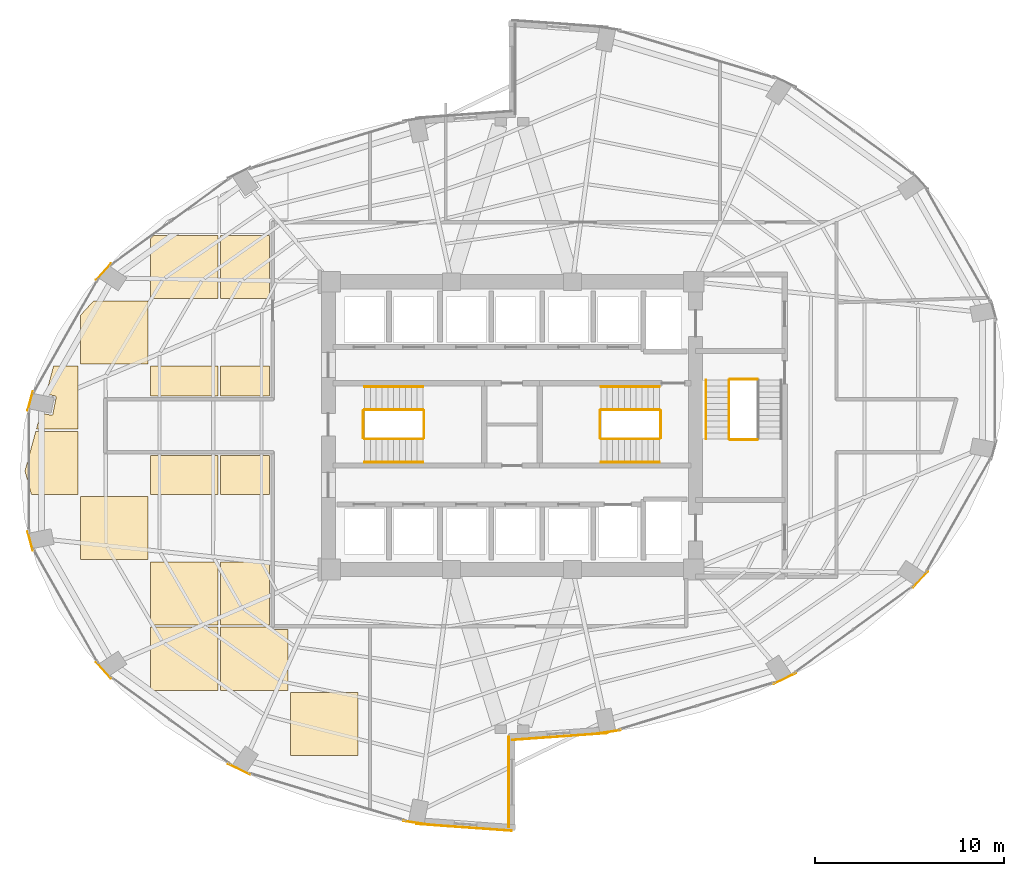
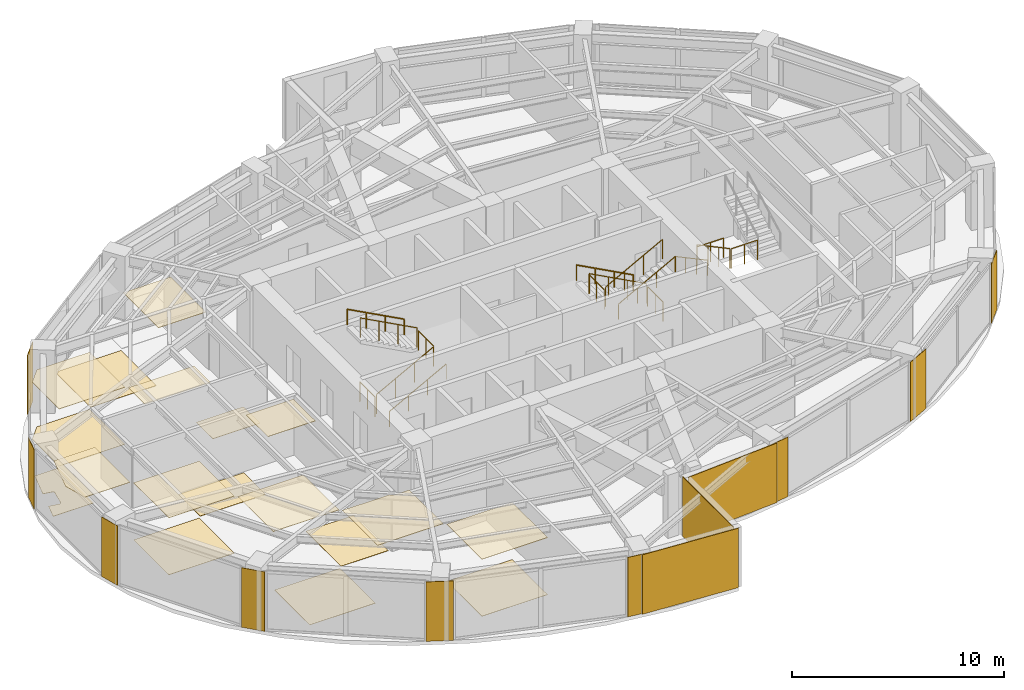
# One storey, part 22 of 23: 30 coverings, 16 railings.
"""IFC4 building model written with IfcOpenShell, lengths in metres."""

from ifc_helpers import new_model, si_unit, direction, frame, origin, origin_2d, place, context, subcontext, project, spatial, polyline, rectangle, circle, outline, extrude, material, layer, layer_set, type_object, element, save


model = new_model("IFC4")

# Units and contexts
model_context = context("Model", 3, precision=1e-05, world=origin(), true_north=direction((0.0, 1.0)))
body_context = subcontext(model_context, "Body", "Model", "MODEL_VIEW")
ifc_project = project(units=[si_unit("LENGTHUNIT", "METRE"), si_unit("AREAUNIT", "SQUARE_METRE"), si_unit("VOLUMEUNIT", "CUBIC_METRE"), si_unit("PLANEANGLEUNIT", "RADIAN"), si_unit("MASSUNIT", "GRAM", prefix="KILO")], contexts=[model_context])

# Site, building, storey
site_placement = place(None, origin())
site = spatial("IfcSite", under=ifc_project, at=site_placement, CompositionType="ELEMENT")
building_placement = place(site_placement, origin())
building = spatial("IfcBuilding", under=site, at=building_placement, Name="Lazwardi Medical Tower", CompositionType="ELEMENT")
storey_placement = place(building_placement, frame((0.0, 0.0, 125.52001953125)))
storey = spatial("IfcBuildingStorey", under=building, at=storey_placement, Name="L32", CompositionType="ELEMENT", Elevation=125.52001953125)

# Coverings
ifc_material_1 = material(Name="Anodised bronze aluminium cassette cladding", Category="aluminium")
ifc_layer_1 = layer(ifc_material_1, 0.030029296875)
ifc_layer_set_1 = layer_set([ifc_layer_1], Name="Anodised bronze aluminium cassette cladding")
covering_type_1 = type_object("IfcCoveringType", Name="COV-CLD-BRZ", PredefinedType="CLADDING", material=ifc_layer_set_1)
covering_1_placement = place(storey_placement, frame((41.064208984375, 11.80322265625, 0.0), z_axis=(0.0, 0.0, 1.0), x_axis=(0.989609019093, 0.143784523955, 0.0)))
element("IfcCovering", 1, at=covering_1_placement, inside=storey, type_object=covering_type_1, Name="L32 Mega-column bronze cassette cover M01", PredefinedType="CLADDING", context=body_context, shape_type="SweptSolid", body=[
    extrude(rectangle(XDim=1.392333984375, YDim=0.030029296875, at=origin_2d()), origin(), (0.0, 0.0, 1.0), 3.427978515625),
])
covering_2_placement = place(storey_placement, frame((50.421875, 14.634521484375, 0.0), z_axis=(0.0, 0.0, 1.0), x_axis=(0.898679250201, 0.438606435495, 0.0)))
element("IfcCovering", 2, at=covering_2_placement, inside=storey, type_object=covering_type_1, Name="L32 Mega-column bronze cassette cover M02", PredefinedType="CLADDING", context=body_context, shape_type="SweptSolid", body=[
    extrude(rectangle(XDim=1.2998046875, YDim=0.030029296875, at=origin_2d()), origin(), (0.0, 0.0, 1.0), 3.427978515625),
])
for number, where, z_axis, x_axis, name in (
    (3, (57.583740234375, 19.86572265625, 0.0), (0.0, 0.0, 1.0), (0.674925949214, 0.737885467453, 0.0), "L32 Mega-column bronze cassette cover M03"),
    (4, (14.416259765625, 36.13427734375, 0.0), (0.0, 0.0, 1.0), (-0.674925949214, -0.737885467453, 0.0), "L32 Mega-column bronze cassette cover M11"),
):
    element("IfcCovering", number, at=place(storey_placement, frame(where, z_axis=z_axis, x_axis=x_axis)), inside=storey, type_object=covering_type_1, Name=name, PredefinedType="CLADDING", context=body_context, shape_type="SweptSolid", body=[
        extrude(rectangle(XDim=1.15625, YDim=0.030029296875, at=origin_2d()), origin(), (0.0, 0.0, 1.0), 3.427978515625),
    ])
for number, where, z_axis, x_axis, name in (
    (5, (10.540283203125, 29.299072265625, 0.0), (0.0, 0.0, 1.0), (-0.262696108164, -0.964878621774, 0.0), "L32 Mega-column bronze cassette cover M12"),
    (6, (10.540283203125, 21.90087890625, 0.0), (0.0, 0.0, 1.0), (0.262696108164, -0.964878621774, 0.0), "L32 Mega-column bronze cassette cover M13"),
):
    element("IfcCovering", number, at=place(storey_placement, frame(where, z_axis=z_axis, x_axis=x_axis)), inside=storey, type_object=covering_type_1, Name=name, PredefinedType="CLADDING", context=body_context, shape_type="SweptSolid", body=[
        extrude(rectangle(XDim=1.04296875, YDim=0.030029296875, at=origin_2d()), origin(), (0.0, 0.0, 1.0), 3.427978515625),
    ])
covering_3_placement = place(storey_placement, frame((14.416259765625, 15.06591796875, 0.0), z_axis=(0.0, 0.0, 1.0), x_axis=(0.674925949214, -0.737885467453, 0.0)))
element("IfcCovering", 7, at=covering_3_placement, inside=storey, type_object=covering_type_1, Name="L32 Mega-column bronze cassette cover M14", PredefinedType="CLADDING", context=body_context, shape_type="SweptSolid", body=[
    extrude(rectangle(XDim=1.15625, YDim=0.030029296875, at=origin_2d()), origin(), (0.0, 0.0, 1.0), 3.427978515625),
])
covering_4_placement = place(storey_placement, frame((21.578125, 9.83447265625, 0.0), z_axis=(0.0, 0.0, 1.0), x_axis=(0.898679250201, -0.438606435495, 0.0)))
element("IfcCovering", 8, at=covering_4_placement, inside=storey, type_object=covering_type_1, Name="L32 Mega-column bronze cassette cover M15", PredefinedType="CLADDING", context=body_context, shape_type="SweptSolid", body=[
    extrude(rectangle(XDim=1.2998046875, YDim=0.030029296875, at=origin_2d()), origin(), (0.0, 0.0, 1.0), 3.427978515625),
])
covering_5_placement = place(storey_placement, frame((30.935791015625, 7.00341796875, 0.0), z_axis=(0.0, 0.0, 1.0), x_axis=(0.989609019093, -0.143784523955, 0.0)))
element("IfcCovering", 9, at=covering_5_placement, inside=storey, type_object=covering_type_1, Name="L32 Mega-column bronze cassette cover M16", PredefinedType="CLADDING", context=body_context, shape_type="SweptSolid", body=[
    extrude(rectangle(XDim=1.392333984375, YDim=0.030029296875, at=origin_2d()), origin(), (0.0, 0.0, 1.0), 3.427978515625),
])
ifc_material_2 = material(Name="Turquoise glazed ceramic tilework cladding", Category="masonry")
ifc_layer_2 = layer(ifc_material_2, 0.034912109375)
ifc_layer_set_2 = layer_set([ifc_layer_2], Name="Turquoise glazed ceramic tilework cladding")
covering_type_2 = type_object("IfcCoveringType", Name="COV-CLD-TRQ", PredefinedType="CLADDING", material=ifc_layer_set_2)
covering_6_placement = place(storey_placement, frame((38.533203125, 11.56591796875, 0.0), z_axis=(0.0, 0.0, 1.0), x_axis=(0.997431665415, 0.07162452672, 0.0)))
element("IfcCovering", 10, at=covering_6_placement, inside=storey, type_object=covering_type_2, Name="L32 Turquoise glazed ceramic tilework cladding", PredefinedType="CLADDING", context=body_context, shape_type="SweptSolid", body=[
    extrude(rectangle(XDim=5.05419921875, YDim=0.034912109375, at=origin_2d()), origin(), (0.0, 0.0, 1.0), 3.427978515625),
])
covering_7_placement = place(storey_placement, frame((33.466552734375, 6.76611328125, 0.0), z_axis=(0.0, 0.0, 1.0), x_axis=(0.997431165357, -0.071631490105, 0.0)))
element("IfcCovering", 11, at=covering_7_placement, inside=storey, type_object=covering_type_2, Name="L32 Turquoise glazed ceramic tilework cladding", PredefinedType="CLADDING", context=body_context, shape_type="SweptSolid", body=[
    extrude(rectangle(XDim=5.0537109375, YDim=0.034912109375, at=origin_2d()), origin(), (0.0, 0.0, 1.0), 3.427978515625),
])
covering_8_placement = place(storey_placement, frame((35.824462890625, 9.159912109375, 0.0), z_axis=(0.0, 0.0, 1.0), x_axis=(0.0, 1.0, 0.0)))
element("IfcCovering", 12, at=covering_8_placement, inside=storey, type_object=covering_type_2, Name="L32 Turquoise glazed ceramic tilework iwan panel", PredefinedType="CLADDING", context=body_context, shape_type="SweptSolid", body=[
    extrude(rectangle(XDim=4.800048828125, YDim=0.034912109375, at=origin_2d()), origin(), (0.0, 0.0, 1.0), 3.427978515625),
])
ifc_material_3 = material(Name="Acoustic mineral fibre tile")
ifc_layer_3 = layer(ifc_material_3, 0.02490234375)
ifc_layer_set_3 = layer_set([ifc_layer_3], Name="Acoustic mineral fibre tile")
covering_type_3 = type_object("IfcCoveringType", Name="COV-CLG-01", PredefinedType="CEILING", material=ifc_layer_set_3)
covering_9_placement = place(storey_placement, frame((0.0, 0.0, 3.282958984375)))
element("IfcCovering", 13, at=covering_9_placement, inside=storey, type_object=covering_type_3, Name="L32 Clinical Acoustic Ceiling 1", PredefinedType="CEILING", context=body_context, shape_type="SweptSolid", body=[
    extrude(outline(polyline([(10.833984375, 27.6923828125), (10.262939453125, 25.60009765625), (10.6005859375, 24.3623046875), (13.072998046875, 24.3623046875), (13.072998046875, 27.6923828125), (10.833984375, 27.6923828125)])), origin(), (0.0, 0.0, 1.0), 0.02490234375),
])
covering_10_placement = place(storey_placement, frame((0.0, 0.0, 3.282958984375)))
element("IfcCovering", 14, at=covering_10_placement, inside=storey, type_object=covering_type_3, Name="L32 Clinical Acoustic Ceiling 2", PredefinedType="CEILING", context=body_context, shape_type="SweptSolid", body=[
    extrude(outline(polyline([(16.77294921875, 20.912353515625), (16.77294921875, 24.242431640625), (13.19287109375, 24.242431640625), (13.19287109375, 20.912353515625), (16.77294921875, 20.912353515625)])), origin(), (0.0, 0.0, 1.0), 0.02490234375),
])
covering_11_placement = place(storey_placement, frame((0.0, 0.0, 3.282958984375)))
element("IfcCovering", 15, at=covering_11_placement, inside=storey, type_object=covering_type_3, Name="L32 Clinical Acoustic Ceiling 3", PredefinedType="CEILING", context=body_context, shape_type="SweptSolid", body=[
    extrude(outline(polyline([(13.89501953125, 34.59228515625), (13.19287109375, 33.826416015625), (13.19287109375, 31.262451171875), (16.77294921875, 31.262451171875), (16.77294921875, 34.59228515625), (13.89501953125, 34.59228515625)])), origin(), (0.0, 0.0, 1.0), 0.02490234375),
])
covering_12_placement = place(storey_placement, frame((0.0, 0.0, 3.282958984375)))
element("IfcCovering", 16, at=covering_12_placement, inside=storey, type_object=covering_type_3, Name="L32 Clinical Acoustic Ceiling 4", PredefinedType="CEILING", context=body_context, shape_type="SweptSolid", body=[
    extrude(outline(polyline([(20.472900390625, 17.46240234375), (20.472900390625, 20.79248046875), (16.892822265625, 20.79248046875), (16.892822265625, 17.46240234375), (20.472900390625, 17.46240234375)])), origin(), (0.0, 0.0, 1.0), 0.02490234375),
])
covering_13_placement = place(storey_placement, frame((0.0, 0.0, 3.282958984375)))
element("IfcCovering", 17, at=covering_13_placement, inside=storey, type_object=covering_type_3, Name="L32 Clinical Acoustic Ceiling 5", PredefinedType="CEILING", context=body_context, shape_type="SweptSolid", body=[
    extrude(outline(polyline([(16.892822265625, 29.574951171875), (20.472900390625, 29.574951171875), (20.472900390625, 31.142333984375), (16.892822265625, 31.142333984375), (16.892822265625, 29.574951171875)])), origin(), (0.0, 0.0, 1.0), 0.02490234375),
])
covering_14_placement = place(storey_placement, frame((0.0, 0.0, 3.282958984375)))
element("IfcCovering", 18, at=covering_14_placement, inside=storey, type_object=covering_type_3, Name="L32 Clinical Acoustic Ceiling 7", PredefinedType="CEILING", context=body_context, shape_type="SweptSolid", body=[
    extrude(outline(polyline([(24.1728515625, 17.22509765625), (23.35009765625, 17.22509765625), (23.345703125, 17.22509765625), (23.33642578125, 17.2255859375), (23.32958984375, 17.226318359375), (23.3203125, 17.2275390625), (23.31201171875, 17.229248046875), (23.302734375, 17.2314453125), (23.2958984375, 17.233642578125), (23.287109375, 17.23681640625), (23.279296875, 17.239990234375), (23.270751953125, 17.243896484375), (23.263916015625, 17.24755859375), (23.256103515625, 17.25244140625), (23.249267578125, 17.2568359375), (23.24169921875, 17.262451171875), (23.236083984375, 17.26708984375), (23.229248046875, 17.273193359375), (23.223388671875, 17.279296875), (23.217041015625, 17.2861328125), (23.21240234375, 17.291748046875), (23.206787109375, 17.29931640625), (23.202392578125, 17.305908203125), (23.197509765625, 17.31396484375), (23.194091796875, 17.32080078125), (23.18994140625, 17.3291015625), (23.186767578125, 17.3369140625), (23.184814453125, 17.34228515625), (20.593017578125, 17.34228515625), (20.593017578125, 14.012451171875), (24.1728515625, 14.012451171875), (24.1728515625, 17.22509765625)])), origin(), (0.0, 0.0, 1.0), 0.02490234375),
])
covering_15_placement = place(storey_placement, frame((0.0, 0.0, 3.282958984375)))
element("IfcCovering", 19, at=covering_15_placement, inside=storey, type_object=covering_type_3, Name="L32 Clinical Acoustic Ceiling 8", PredefinedType="CEILING", context=body_context, shape_type="SweptSolid", body=[
    extrude(outline(polyline([(23.175048828125, 24.3623046875), (23.175048828125, 26.425048828125), (20.593017578125, 26.425048828125), (20.593017578125, 24.3623046875), (23.175048828125, 24.3623046875)])), origin(), (0.0, 0.0, 1.0), 0.02490234375),
])
covering_16_placement = place(storey_placement, frame((0.0, 0.0, 3.282958984375)))
element("IfcCovering", 20, at=covering_16_placement, inside=storey, type_object=covering_type_3, Name="L32 Clinical Acoustic Ceiling 9", PredefinedType="CEILING", context=body_context, shape_type="SweptSolid", body=[
    extrude(outline(polyline([(23.175048828125, 34.71240234375), (23.175048828125, 38.04248046875), (20.593017578125, 38.04248046875), (20.593017578125, 34.71240234375), (23.175048828125, 34.71240234375)])), origin(), (0.0, 0.0, 1.0), 0.02490234375),
])
covering_17_placement = place(storey_placement, frame((0.0, 0.0, 3.282958984375)))
element("IfcCovering", 21, at=covering_17_placement, inside=storey, type_object=covering_type_3, Name="L32 Clinical Acoustic Ceiling 10", PredefinedType="CEILING", context=body_context, shape_type="SweptSolid", body=[
    extrude(outline(polyline([(27.872802734375, 10.5625), (27.872802734375, 13.892333984375), (24.29296875, 13.892333984375), (24.29296875, 10.5625), (27.872802734375, 10.5625)])), origin(), (0.0, 0.0, 1.0), 0.02490234375),
])
ifc_material_4 = material(Name="Anti-static hospital vinyl sheet flooring")
ifc_layer_4 = layer(ifc_material_4, 0.014892578125)
ifc_layer_set_4 = layer_set([ifc_layer_4], Name="Anti-static hospital vinyl sheet flooring")
covering_type_4 = type_object("IfcCoveringType", Name="COV-FLR-01", PredefinedType="FLOORING", material=ifc_layer_set_4)
covering_18_placement = place(storey_placement, origin())
element("IfcCovering", 22, at=covering_18_placement, inside=storey, type_object=covering_type_4, Name="L32 Clinical Vinyl Flooring 1", PredefinedType="FLOORING", context=body_context, shape_type="SweptSolid", body=[
    extrude(outline(polyline([(11.775390625, 31.142333984375), (11.371826171875, 29.663330078125), (11.8466796875, 29.569091796875), (11.854248046875, 29.567138671875), (11.861572265625, 29.564453125), (11.86865234375, 29.56103515625), (11.87548828125, 29.556884765625), (11.8818359375, 29.55224609375), (11.8876953125, 29.547119140625), (11.892822265625, 29.541259765625), (11.8974609375, 29.534912109375), (11.901611328125, 29.5283203125), (11.90478515625, 29.52099609375), (11.90771484375, 29.513671875), (11.909423828125, 29.506103515625), (11.91064453125, 29.498291015625), (11.910888671875, 29.490478515625), (11.91064453125, 29.482666015625), (11.909423828125, 29.474853515625), (11.73779296875, 28.61181640625), (11.73583984375, 28.604248046875), (11.733154296875, 28.5966796875), (11.72998046875, 28.589599609375), (11.725830078125, 28.5830078125), (11.72119140625, 28.57666015625), (11.7158203125, 28.57080078125), (11.710205078125, 28.565673828125), (11.70361328125, 28.560791015625), (11.697021484375, 28.556884765625), (11.68994140625, 28.553466796875), (11.6826171875, 28.55078125), (11.6748046875, 28.548828125), (11.6669921875, 28.5478515625), (11.6591796875, 28.54736328125), (11.651611328125, 28.5478515625), (11.643798828125, 28.548828125), (11.097412109375, 28.65771484375), (10.86669921875, 27.8125), (13.072998046875, 27.8125), (13.072998046875, 31.142333984375), (11.775390625, 31.142333984375)])), origin(), (0.0, 0.0, 1.0), 0.014892578125),
])
covering_19_placement = place(storey_placement, origin())
element("IfcCovering", 23, at=covering_19_placement, inside=storey, type_object=covering_type_4, Name="L32 Clinical Vinyl Flooring 2", PredefinedType="FLOORING", context=body_context, shape_type="SweptSolid", body=[
    extrude(outline(polyline([(16.77294921875, 20.912353515625), (16.77294921875, 24.242431640625), (13.19287109375, 24.242431640625), (13.19287109375, 20.912353515625), (16.77294921875, 20.912353515625)])), origin(), (0.0, 0.0, 1.0), 0.014892578125),
])
covering_20_placement = place(storey_placement, origin())
element("IfcCovering", 24, at=covering_20_placement, inside=storey, type_object=covering_type_4, Name="L32 Clinical Vinyl Flooring 3", PredefinedType="FLOORING", context=body_context, shape_type="SweptSolid", body=[
    extrude(outline(polyline([(13.89501953125, 34.59228515625), (13.19287109375, 33.826416015625), (13.19287109375, 31.262451171875), (16.77294921875, 31.262451171875), (16.77294921875, 34.59228515625), (13.89501953125, 34.59228515625)])), origin(), (0.0, 0.0, 1.0), 0.014892578125),
])
covering_21_placement = place(storey_placement, origin())
element("IfcCovering", 25, at=covering_21_placement, inside=storey, type_object=covering_type_4, Name="L32 Clinical Vinyl Flooring 4", PredefinedType="FLOORING", context=body_context, shape_type="SweptSolid", body=[
    extrude(outline(polyline([(20.472900390625, 14.012451171875), (20.472900390625, 17.34228515625), (16.892822265625, 17.34228515625), (16.892822265625, 14.012451171875), (20.472900390625, 14.012451171875)])), origin(), (0.0, 0.0, 1.0), 0.014892578125),
])
covering_22_placement = place(storey_placement, origin())
element("IfcCovering", 26, at=covering_22_placement, inside=storey, type_object=covering_type_4, Name="L32 Clinical Vinyl Flooring 5", PredefinedType="FLOORING", context=body_context, shape_type="SweptSolid", body=[
    extrude(outline(polyline([(20.472900390625, 26.425048828125), (16.892822265625, 26.425048828125), (16.892822265625, 24.3623046875), (20.472900390625, 24.3623046875), (20.472900390625, 26.425048828125)])), origin(), (0.0, 0.0, 1.0), 0.014892578125),
])
covering_23_placement = place(storey_placement, origin())
element("IfcCovering", 27, at=covering_23_placement, inside=storey, type_object=covering_type_4, Name="L32 Clinical Vinyl Flooring 6", PredefinedType="FLOORING", context=body_context, shape_type="SweptSolid", body=[
    extrude(outline(polyline([(17.057861328125, 38.04248046875), (16.892822265625, 37.862548828125), (16.892822265625, 34.71240234375), (20.472900390625, 34.71240234375), (20.472900390625, 38.04248046875), (17.057861328125, 38.04248046875)])), origin(), (0.0, 0.0, 1.0), 0.014892578125),
])
covering_24_placement = place(storey_placement, origin())
element("IfcCovering", 28, at=covering_24_placement, inside=storey, type_object=covering_type_4, Name="L32 Clinical Vinyl Flooring 7", PredefinedType="FLOORING", context=body_context, shape_type="SweptSolid", body=[
    extrude(outline(polyline([(23.175048828125, 17.46240234375), (23.175048828125, 20.79248046875), (20.593017578125, 20.79248046875), (20.593017578125, 17.46240234375), (23.175048828125, 17.46240234375)])), origin(), (0.0, 0.0, 1.0), 0.014892578125),
])
covering_25_placement = place(storey_placement, origin())
element("IfcCovering", 29, at=covering_25_placement, inside=storey, type_object=covering_type_4, Name="L32 Clinical Vinyl Flooring 8", PredefinedType="FLOORING", context=body_context, shape_type="SweptSolid", body=[
    extrude(outline(polyline([(20.593017578125, 29.574951171875), (23.175048828125, 29.574951171875), (23.175048828125, 31.142333984375), (20.593017578125, 31.142333984375), (20.593017578125, 29.574951171875)])), origin(), (0.0, 0.0, 1.0), 0.014892578125),
])
covering_26_placement = place(storey_placement, origin())
element("IfcCovering", 30, at=covering_26_placement, inside=storey, type_object=covering_type_4, Name="L32 Clinical Vinyl Flooring 10", PredefinedType="FLOORING", context=body_context, shape_type="SweptSolid", body=[
    extrude(outline(polyline([(27.872802734375, 10.5625), (27.872802734375, 13.892333984375), (24.29296875, 13.892333984375), (24.29296875, 10.5625), (27.872802734375, 10.5625)])), origin(), (0.0, 0.0, 1.0), 0.014892578125),
])

# Railings
ifc_material_5 = material(Name="Stainless steel Grade 316", Category="steel")
railing_type_1 = type_object("IfcRailingType", Name="RLG-GRD-1150", PredefinedType="GUARDRAIL", material=ifc_material_5)
railing_1_placement = place(storey_placement, frame((28.199951171875, 27.2900390625, 0.165771484375)))
element("IfcRailing", 31, at=railing_1_placement, inside=storey, type_object=railing_type_1, Name="L32 ST1 stair guard 1", PredefinedType="GUARDRAIL", context=body_context, shape_type="SweptSolid", body=[
    extrude(circle(Radius=0.02392578125, at=origin_2d()), frame((0.0, 0.0, 1.1259765625), z_axis=(0.881783298633, 0.0, 0.471654761719), x_axis=(0.0, 1.0, 0.0)), (0.0, 0.0, 1.0), 3.515625),
    extrude(circle(Radius=0.02099609375, at=origin_2d()), origin(), (0.0, 0.0, 1.0), 1.099853515625),
    extrude(circle(Radius=0.02099609375, at=origin_2d()), frame((1.033447265625, 0.0, 0.552734375)), (0.0, 0.0, 1.0), 1.099853515625),
    extrude(circle(Radius=0.02099609375, at=origin_2d()), frame((2.066650390625, 0.0, 1.10546875)), (0.0, 0.0, 1.0), 1.099853515625),
    extrude(circle(Radius=0.02099609375, at=origin_2d()), frame((3.10009765625, 0.0, 1.658203125)), (0.0, 0.0, 1.0), 1.099853515625),
])
railing_2_placement = place(storey_placement, frame((31.35009765625, 27.340087890625, 1.823974609375)))
element("IfcRailing", 32, at=railing_2_placement, inside=storey, type_object=railing_type_1, Name="L32 ST1 stair guard 2", PredefinedType="GUARDRAIL", context=body_context, shape_type="SweptSolid", body=[
    extrude(circle(Radius=0.02392578125, at=origin_2d()), frame((0.0, 0.0, 1.1259765625), z_axis=(0.0, 1.0, 0.0), x_axis=(-1.0, 0.0, 0.0)), (0.0, 0.0, 1.0), 1.43994140625),
    extrude(circle(Radius=0.02099609375, at=origin_2d()), origin(), (0.0, 0.0, 1.0), 1.099853515625),
    extrude(circle(Radius=0.02099609375, at=origin_2d()), frame((0.0, 0.719970703125, 0.0)), (0.0, 0.0, 1.0), 1.099853515625),
    extrude(circle(Radius=0.02099609375, at=origin_2d()), frame((0.0, 1.43994140625, 0.0)), (0.0, 0.0, 1.0), 1.099853515625),
])
railing_3_placement = place(storey_placement, frame((31.300048828125, 28.830078125, 1.98974609375)))
element("IfcRailing", 33, at=railing_3_placement, inside=storey, type_object=railing_type_1, Name="L32 ST1 stair guard 3", PredefinedType="GUARDRAIL", context=body_context, shape_type="SweptSolid", body=[
    extrude(circle(Radius=0.02392578125, at=origin_2d()), frame((0.0, 0.0, 1.1259765625), z_axis=(-0.881783298633, 0.0, 0.471654761719), x_axis=(0.0, -1.0, 0.0)), (0.0, 0.0, 1.0), 3.515625),
    extrude(circle(Radius=0.02099609375, at=origin_2d()), origin(), (0.0, 0.0, 1.0), 1.099853515625),
    extrude(circle(Radius=0.02099609375, at=origin_2d()), frame((-1.033447265625, 0.0, 0.552734375)), (0.0, 0.0, 1.0), 1.099853515625),
    extrude(circle(Radius=0.02099609375, at=origin_2d()), frame((-2.066650390625, 0.0, 1.10546875)), (0.0, 0.0, 1.0), 1.099853515625),
    extrude(circle(Radius=0.02099609375, at=origin_2d()), frame((-3.10009765625, 0.0, 1.658203125)), (0.0, 0.0, 1.0), 1.099853515625),
])
railing_4_placement = place(storey_placement, frame((28.14990234375, 27.340087890625, 0.0)))
element("IfcRailing", 34, at=railing_4_placement, inside=storey, type_object=railing_type_1, Name="L32 ST1 stair guard 4", PredefinedType="GUARDRAIL", context=body_context, shape_type="SweptSolid", body=[
    extrude(circle(Radius=0.02392578125, at=origin_2d()), frame((0.0, 0.0, 1.1259765625), z_axis=(0.0, 1.0, 0.0), x_axis=(-1.0, 0.0, 0.0)), (0.0, 0.0, 1.0), 1.43994140625),
    extrude(circle(Radius=0.02099609375, at=origin_2d()), origin(), (0.0, 0.0, 1.0), 1.099853515625),
    extrude(circle(Radius=0.02099609375, at=origin_2d()), frame((0.0, 0.719970703125, 0.0)), (0.0, 0.0, 1.0), 1.099853515625),
    extrude(circle(Radius=0.02099609375, at=origin_2d()), frame((0.0, 1.43994140625, 0.0)), (0.0, 0.0, 1.0), 1.099853515625),
])
railing_5_placement = place(storey_placement, frame((43.800048828125, 28.830078125, 0.165771484375)))
element("IfcRailing", 35, at=railing_5_placement, inside=storey, type_object=railing_type_1, Name="L32 ST2 stair guard 1", PredefinedType="GUARDRAIL", context=body_context, shape_type="SweptSolid", body=[
    extrude(circle(Radius=0.02392578125, at=origin_2d()), frame((0.0, 0.0, 1.1259765625), z_axis=(-0.881783298633, 0.0, 0.471654761719), x_axis=(0.0, -1.0, 0.0)), (0.0, 0.0, 1.0), 3.515625),
    extrude(circle(Radius=0.02099609375, at=origin_2d()), origin(), (0.0, 0.0, 1.0), 1.099853515625),
    extrude(circle(Radius=0.02099609375, at=origin_2d()), frame((-1.033447265625, 0.0, 0.552734375)), (0.0, 0.0, 1.0), 1.099853515625),
    extrude(circle(Radius=0.02099609375, at=origin_2d()), frame((-2.066650390625, 0.0, 1.10546875)), (0.0, 0.0, 1.0), 1.099853515625),
    extrude(circle(Radius=0.02099609375, at=origin_2d()), frame((-3.10009765625, 0.0, 1.658203125)), (0.0, 0.0, 1.0), 1.099853515625),
])
railing_6_placement = place(storey_placement, frame((40.64990234375, 28.780029296875, 1.823974609375)))
element("IfcRailing", 36, at=railing_6_placement, inside=storey, type_object=railing_type_1, Name="L32 ST2 stair guard 2", PredefinedType="GUARDRAIL", context=body_context, shape_type="SweptSolid", body=[
    extrude(circle(Radius=0.02392578125, at=origin_2d()), frame((0.0, 0.0, 1.1259765625), z_axis=(0.0, -1.0, 0.0), x_axis=(1.0, 0.0, 0.0)), (0.0, 0.0, 1.0), 1.43994140625),
    extrude(circle(Radius=0.02099609375, at=origin_2d()), origin(), (0.0, 0.0, 1.0), 1.099853515625),
    extrude(circle(Radius=0.02099609375, at=origin_2d()), frame((0.0, -0.719970703125, 0.0)), (0.0, 0.0, 1.0), 1.099853515625),
    extrude(circle(Radius=0.02099609375, at=origin_2d()), frame((0.0, -1.43994140625, 0.0)), (0.0, 0.0, 1.0), 1.099853515625),
])
railing_7_placement = place(storey_placement, frame((40.699951171875, 27.2900390625, 1.98974609375)))
element("IfcRailing", 37, at=railing_7_placement, inside=storey, type_object=railing_type_1, Name="L32 ST2 stair guard 3", PredefinedType="GUARDRAIL", context=body_context, shape_type="SweptSolid", body=[
    extrude(circle(Radius=0.02392578125, at=origin_2d()), frame((0.0, 0.0, 1.1259765625), z_axis=(0.881783298633, 0.0, 0.471654761719), x_axis=(0.0, 1.0, 0.0)), (0.0, 0.0, 1.0), 3.515625),
    extrude(circle(Radius=0.02099609375, at=origin_2d()), origin(), (0.0, 0.0, 1.0), 1.099853515625),
    extrude(circle(Radius=0.02099609375, at=origin_2d()), frame((1.033447265625, 0.0, 0.552734375)), (0.0, 0.0, 1.0), 1.099853515625),
    extrude(circle(Radius=0.02099609375, at=origin_2d()), frame((2.066650390625, 0.0, 1.10546875)), (0.0, 0.0, 1.0), 1.099853515625),
    extrude(circle(Radius=0.02099609375, at=origin_2d()), frame((3.10009765625, 0.0, 1.658203125)), (0.0, 0.0, 1.0), 1.099853515625),
])
railing_8_placement = place(storey_placement, frame((43.85009765625, 28.780029296875, 0.0)))
element("IfcRailing", 38, at=railing_8_placement, inside=storey, type_object=railing_type_1, Name="L32 ST2 stair guard 4", PredefinedType="GUARDRAIL", context=body_context, shape_type="SweptSolid", body=[
    extrude(circle(Radius=0.02392578125, at=origin_2d()), frame((0.0, 0.0, 1.1259765625), z_axis=(0.0, -1.0, 0.0), x_axis=(1.0, 0.0, 0.0)), (0.0, 0.0, 1.0), 1.43994140625),
    extrude(circle(Radius=0.02099609375, at=origin_2d()), origin(), (0.0, 0.0, 1.0), 1.099853515625),
    extrude(circle(Radius=0.02099609375, at=origin_2d()), frame((0.0, -0.719970703125, 0.0)), (0.0, 0.0, 1.0), 1.099853515625),
    extrude(circle(Radius=0.02099609375, at=origin_2d()), frame((0.0, -1.43994140625, 0.0)), (0.0, 0.0, 1.0), 1.099853515625),
])
railing_9_placement = place(storey_placement, frame((47.469970703125, 30.39990234375, 0.165771484375)))
element("IfcRailing", 39, at=railing_9_placement, inside=storey, type_object=railing_type_1, Name="L32 ST3 stair guard 1", PredefinedType="GUARDRAIL", context=body_context, shape_type="SweptSolid", body=[
    extrude(circle(Radius=0.02392578125, at=origin_2d()), frame((0.0, 0.0, 1.1259765625), z_axis=(0.0, -0.881767849116, 0.471683644262), x_axis=(1.0, 0.0, 0.0)), (0.0, 0.0, 1.0), 3.515380859375),
    extrude(circle(Radius=0.02099609375, at=origin_2d()), origin(), (0.0, 0.0, 1.0), 1.099853515625),
    extrude(circle(Radius=0.02099609375, at=origin_2d()), frame((0.0, -1.033203125, 0.552734375)), (0.0, 0.0, 1.0), 1.099853515625),
    extrude(circle(Radius=0.02099609375, at=origin_2d()), frame((0.0, -2.066650390625, 1.10546875)), (0.0, 0.0, 1.0), 1.099853515625),
    extrude(circle(Radius=0.02099609375, at=origin_2d()), frame((0.0, -3.099853515625, 1.658203125)), (0.0, 0.0, 1.0), 1.099853515625),
])
for number, where, name in (
    (40, (47.52001953125, 27.25, 1.823974609375), "L32 ST3 stair guard 2"),
    (41, (47.52001953125, 30.449951171875, 0.0), "L32 ST3 stair guard 4"),
):
    element("IfcRailing", number, at=place(storey_placement, frame(where)), inside=storey, type_object=railing_type_1, Name=name, PredefinedType="GUARDRAIL", context=body_context, shape_type="SweptSolid", body=[
        extrude(circle(Radius=0.02392578125, at=origin_2d()), frame((0.0, 0.0, 1.1259765625), z_axis=(1.0, 0.0, 0.0), x_axis=(0.0, 1.0, 0.0)), (0.0, 0.0, 1.0), 1.43994140625),
        extrude(circle(Radius=0.02099609375, at=origin_2d()), origin(), (0.0, 0.0, 1.0), 1.099853515625),
        extrude(circle(Radius=0.02099609375, at=origin_2d()), frame((0.719970703125, 0.0, 0.0)), (0.0, 0.0, 1.0), 1.099853515625),
        extrude(circle(Radius=0.02099609375, at=origin_2d()), frame((1.43994140625, 0.0, 0.0)), (0.0, 0.0, 1.0), 1.099853515625),
    ])
railing_type_2 = type_object("IfcRailingType", Name="RLG-HND-920", PredefinedType="HANDRAIL", material=ifc_material_5)
railing_10_placement = place(storey_placement, frame((28.199951171875, 26.070068359375, 0.165771484375)))
element("IfcRailing", 42, at=railing_10_placement, inside=storey, type_object=railing_type_2, Name="L32 ST1 stair handrail 1", PredefinedType="HANDRAIL", context=body_context, shape_type="SweptSolid", body=[
    extrude(circle(Radius=0.02392578125, at=origin_2d()), frame((0.0, 0.0, 0.8857421875), z_axis=(0.881783298633, 0.0, 0.471654761719), x_axis=(0.0, 1.0, 0.0)), (0.0, 0.0, 1.0), 3.515625),
    extrude(circle(Radius=0.02099609375, at=origin_2d()), origin(), (0.0, 0.0, 1.0), 0.85986328125),
    extrude(circle(Radius=0.02099609375, at=origin_2d()), frame((1.033447265625, 0.0, 0.552734375)), (0.0, 0.0, 1.0), 0.85986328125),
    extrude(circle(Radius=0.02099609375, at=origin_2d()), frame((2.066650390625, 0.0, 1.10546875)), (0.0, 0.0, 1.0), 0.85986328125),
    extrude(circle(Radius=0.02099609375, at=origin_2d()), frame((3.10009765625, 0.0, 1.658203125)), (0.0, 0.0, 1.0), 0.85986328125),
])
for number, where, name in (
    (43, (31.300048828125, 30.050048828125, 1.98974609375), "L32 ST1 stair handrail 2"),
    (44, (43.800048828125, 30.050048828125, 0.165771484375), "L32 ST2 stair handrail 1"),
):
    element("IfcRailing", number, at=place(storey_placement, frame(where)), inside=storey, type_object=railing_type_2, Name=name, PredefinedType="HANDRAIL", context=body_context, shape_type="SweptSolid", body=[
        extrude(circle(Radius=0.02392578125, at=origin_2d()), frame((0.0, 0.0, 0.8857421875), z_axis=(-0.881783298633, 0.0, 0.471654761719), x_axis=(0.0, -1.0, 0.0)), (0.0, 0.0, 1.0), 3.515625),
        extrude(circle(Radius=0.02099609375, at=origin_2d()), origin(), (0.0, 0.0, 1.0), 0.85986328125),
        extrude(circle(Radius=0.02099609375, at=origin_2d()), frame((-1.033447265625, 0.0, 0.552734375)), (0.0, 0.0, 1.0), 0.85986328125),
        extrude(circle(Radius=0.02099609375, at=origin_2d()), frame((-2.066650390625, 0.0, 1.10546875)), (0.0, 0.0, 1.0), 0.85986328125),
        extrude(circle(Radius=0.02099609375, at=origin_2d()), frame((-3.10009765625, 0.0, 1.658203125)), (0.0, 0.0, 1.0), 0.85986328125),
    ])
railing_11_placement = place(storey_placement, frame((40.699951171875, 26.070068359375, 1.98974609375)))
element("IfcRailing", 45, at=railing_11_placement, inside=storey, type_object=railing_type_2, Name="L32 ST2 stair handrail 2", PredefinedType="HANDRAIL", context=body_context, shape_type="SweptSolid", body=[
    extrude(circle(Radius=0.02392578125, at=origin_2d()), frame((0.0, 0.0, 0.8857421875), z_axis=(0.881783298633, 0.0, 0.471654761719), x_axis=(0.0, 1.0, 0.0)), (0.0, 0.0, 1.0), 3.515625),
    extrude(circle(Radius=0.02099609375, at=origin_2d()), origin(), (0.0, 0.0, 1.0), 0.85986328125),
    extrude(circle(Radius=0.02099609375, at=origin_2d()), frame((1.033447265625, 0.0, 0.552734375)), (0.0, 0.0, 1.0), 0.85986328125),
    extrude(circle(Radius=0.02099609375, at=origin_2d()), frame((2.066650390625, 0.0, 1.10546875)), (0.0, 0.0, 1.0), 0.85986328125),
    extrude(circle(Radius=0.02099609375, at=origin_2d()), frame((3.10009765625, 0.0, 1.658203125)), (0.0, 0.0, 1.0), 0.85986328125),
])
railing_12_placement = place(storey_placement, frame((46.25, 30.39990234375, 0.165771484375)))
element("IfcRailing", 46, at=railing_12_placement, inside=storey, type_object=railing_type_2, Name="L32 ST3 stair handrail 1", PredefinedType="HANDRAIL", context=body_context, shape_type="SweptSolid", body=[
    extrude(circle(Radius=0.02392578125, at=origin_2d()), frame((0.0, 0.0, 0.8857421875), z_axis=(0.0, -0.881767849116, 0.471683644262), x_axis=(1.0, 0.0, 0.0)), (0.0, 0.0, 1.0), 3.515380859375),
    extrude(circle(Radius=0.02099609375, at=origin_2d()), origin(), (0.0, 0.0, 1.0), 0.85986328125),
    extrude(circle(Radius=0.02099609375, at=origin_2d()), frame((0.0, -1.033203125, 0.552734375)), (0.0, 0.0, 1.0), 0.85986328125),
    extrude(circle(Radius=0.02099609375, at=origin_2d()), frame((0.0, -2.066650390625, 1.10546875)), (0.0, 0.0, 1.0), 0.85986328125),
    extrude(circle(Radius=0.02099609375, at=origin_2d()), frame((0.0, -3.099853515625, 1.658203125)), (0.0, 0.0, 1.0), 0.85986328125),
])

save(model, "model.ifc")
